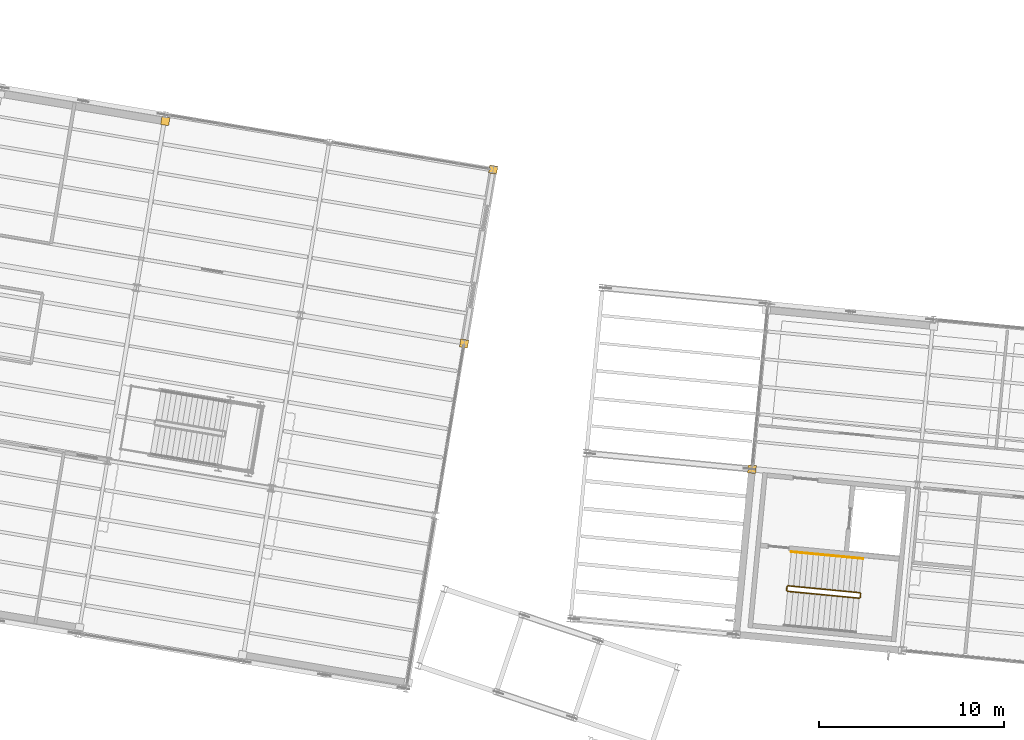
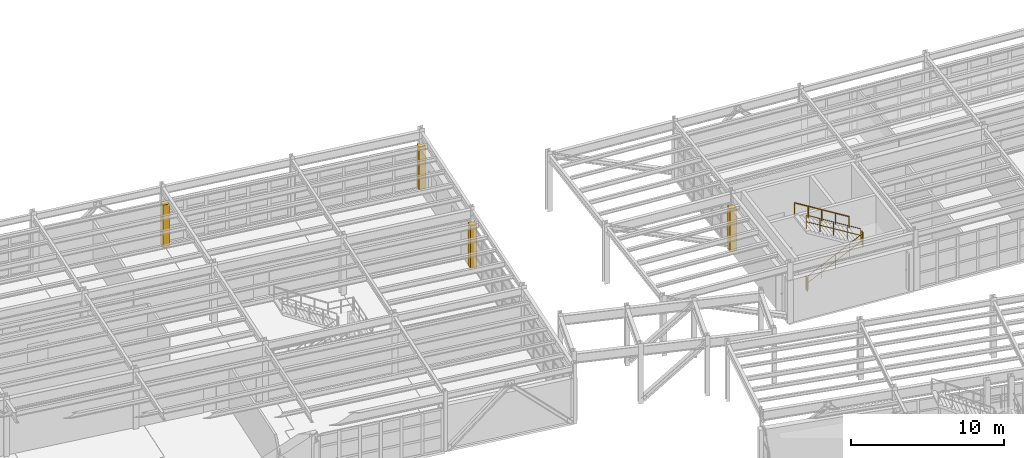
# One storey, part 107 of 109: 5 railings, 4 coverings.
"""IFC4 building model written with IfcOpenShell, lengths in metres."""

from ifc_helpers import new_model, si_unit, direction, frame, origin, origin_2d, place, context, subcontext, project, spatial, rectangle, circle, extrude, material, layer, layer_set, type_object, element, save


model = new_model("IFC4")

# Units and contexts
model_context = context("Model", 3, precision=1e-05, world=origin(), true_north=direction((0.0, 1.0)))
body_context = subcontext(model_context, "Body", "Model", "MODEL_VIEW")
ifc_project = project(units=[si_unit("LENGTHUNIT", "METRE"), si_unit("AREAUNIT", "SQUARE_METRE"), si_unit("VOLUMEUNIT", "CUBIC_METRE"), si_unit("PLANEANGLEUNIT", "RADIAN"), si_unit("MASSUNIT", "GRAM", prefix="KILO")], contexts=[model_context])

# Site, building, storey
site_placement = place(None, origin())
site = spatial("IfcSite", under=ifc_project, at=site_placement, CompositionType="ELEMENT")
building_placement = place(site_placement, origin())
building = spatial("IfcBuilding", under=site, at=building_placement, Name="Vireo Bluff Cable Station", CompositionType="ELEMENT")
storey_placement = place(building_placement, frame((0.0, 0.0, 4.800048828125)))
storey = spatial("IfcBuildingStorey", under=building, at=storey_placement, Name="L01", CompositionType="ELEMENT", Elevation=4.800048828125)

# Coverings
ifc_material_1 = material(Name="Precast concrete f'c 45 MPa", Category="concrete")
ifc_layer = layer(ifc_material_1, 0.0400390625, Name="Precast concrete f'c 45 MPa")
ifc_layer_set = layer_set([ifc_layer], Name="Precast concrete f'c 45 MPa")
covering_type = type_object("IfcCoveringType", Name="COL-CLOSURE-WRAP", PredefinedType="CLADDING", material=ifc_layer_set)
for number, where, z_axis, x_axis, name in (
    (1, (68.600341796875, 75.958984375, 0.0), (0.0, 0.0, 1.0), (0.995396198367, -0.09584575252, 0.0), "V3 L01 column pocket closure"),
    (2, (36.82763671875, 94.80908203125, 0.0), (0.0, 0.0, 1.0), (0.986285601537, -0.165047605861, 0.0), "V4 L01 column pocket closure"),
    (3, (54.58642578125, 92.179931640625, 0.0), (0.0, 0.0, 1.0), (0.986285601537, -0.165047605861, 0.0), "V4 L01 column pocket closure"),
    (4, (53.010498046875, 82.762939453125, 0.0), (0.0, 0.0, 1.0), (0.986285601537, -0.165047605861, 0.0), "V4 L01 column pocket closure"),
):
    element("IfcCovering", number, at=place(storey_placement, frame(where, z_axis=z_axis, x_axis=x_axis)), inside=storey, type_object=covering_type, Name=name, PredefinedType="CLADDING", context=body_context, shape_type="SweptSolid", body=[
        extrude(rectangle(XDim=0.43994140625, YDim=0.43994140625, at=origin_2d()), origin(), (0.0, 0.0, 1.0), 3.39990234375),
    ])

# Railings
ifc_material_2 = material(Name="Stainless Steel 316", Category="steel")
railing_type_1 = type_object("IfcRailingType", Name="STAIR-GUARD-1100", PredefinedType="GUARDRAIL", material=ifc_material_2)
railing_1_placement = place(storey_placement, frame((70.525634765625, 69.347412109375, 0.17138671875)))
element("IfcRailing", 5, at=railing_1_placement, inside=storey, type_object=railing_type_1, Name="L01 ST-01 stair guard 1", PredefinedType="GUARDRAIL", context=body_context, shape_type="SweptSolid", body=[
    extrude(circle(Radius=0.02392578125, at=origin_2d()), frame((0.0, 0.0, 1.076171875), z_axis=(0.864253522803, -0.083213140269, 0.496126416964), x_axis=(0.095840036621, 0.995396748729, 0.0)), (0.0, 0.0, 1.0), 4.491943359375),
    extrude(circle(Radius=0.02392578125, at=origin_2d()), frame((0.0, 0.0, 0.550048828125), z_axis=(0.864253522803, -0.083213140269, 0.496126416964), x_axis=(0.095840036621, 0.995396748729, 0.0)), (0.0, 0.0, 1.0), 4.491943359375),
    extrude(circle(Radius=0.02099609375, at=origin_2d()), origin(), (0.0, 0.0, 1.0), 1.052001953125),
    extrude(circle(Radius=0.02099609375, at=origin_2d()), frame((0.970458984375, -0.093505859375, 0.55712890625)), (0.0, 0.0, 1.0), 1.052001953125),
    extrude(circle(Radius=0.02099609375, at=origin_2d()), frame((1.94091796875, -0.18701171875, 1.1142578125)), (0.0, 0.0, 1.0), 1.052001953125),
    extrude(circle(Radius=0.02099609375, at=origin_2d()), frame((2.91162109375, -0.2802734375, 1.67138671875)), (0.0, 0.0, 1.0), 1.052001953125),
    extrude(circle(Radius=0.02099609375, at=origin_2d()), frame((3.882080078125, -0.373779296875, 2.228515625)), (0.0, 0.0, 1.0), 1.052001953125),
])
railing_2_placement = place(storey_placement, frame((74.462158203125, 69.018798828125, 2.39990234375)))
element("IfcRailing", 6, at=railing_2_placement, inside=storey, type_object=railing_type_1, Name="L01 ST-01 stair guard 2", PredefinedType="GUARDRAIL", context=body_context, shape_type="SweptSolid", body=[
    extrude(circle(Radius=0.02392578125, at=origin_2d()), frame((0.0, 0.0, 1.076171875), z_axis=(0.096480314764, 0.995334892819, 0.0), x_axis=(-0.995334892819, 0.096480314764, 0.0)), (0.0, 0.0, 1.0), 0.199951171875),
    extrude(circle(Radius=0.02392578125, at=origin_2d()), frame((0.0, 0.0, 0.550048828125), z_axis=(0.096480314764, 0.995334892819, 0.0), x_axis=(-0.995334892819, 0.096480314764, 0.0)), (0.0, 0.0, 1.0), 0.199951171875),
    extrude(circle(Radius=0.02099609375, at=origin_2d()), origin(), (0.0, 0.0, 1.0), 1.052001953125),
    extrude(circle(Radius=0.02099609375, at=origin_2d()), frame((0.019287109375, 0.198974609375, 0.0)), (0.0, 0.0, 1.0), 1.052001953125),
])
railing_3_placement = place(storey_placement, frame((74.436279296875, 69.272216796875, 2.5712890625)))
element("IfcRailing", 7, at=railing_3_placement, inside=storey, type_object=railing_type_1, Name="L01 ST-01 stair guard 3", PredefinedType="GUARDRAIL", context=body_context, shape_type="SweptSolid", body=[
    extrude(circle(Radius=0.02392578125, at=origin_2d()), frame((0.0, 0.0, 1.076171875), z_axis=(-0.864226307618, 0.08326487034, 0.496165144472), x_axis=(-0.095902060697, -0.995390774899, 0.0)), (0.0, 0.0, 1.0), 4.491943359375),
    extrude(circle(Radius=0.02392578125, at=origin_2d()), frame((0.0, 0.0, 0.550048828125), z_axis=(-0.864226307618, 0.08326487034, 0.496165144472), x_axis=(-0.095902060697, -0.995390774899, 0.0)), (0.0, 0.0, 1.0), 4.491943359375),
    extrude(circle(Radius=0.02099609375, at=origin_2d()), origin(), (0.0, 0.0, 1.0), 1.052001953125),
    extrude(circle(Radius=0.02099609375, at=origin_2d()), frame((-0.970458984375, 0.093505859375, 0.55712890625)), (0.0, 0.0, 1.0), 1.052001953125),
    extrude(circle(Radius=0.02099609375, at=origin_2d()), frame((-1.94091796875, 0.18701171875, 1.1142578125)), (0.0, 0.0, 1.0), 1.052001953125),
    extrude(circle(Radius=0.02099609375, at=origin_2d()), frame((-2.91162109375, 0.280517578125, 1.671630859375)), (0.0, 0.0, 1.0), 1.052001953125),
    extrude(circle(Radius=0.02099609375, at=origin_2d()), frame((-3.882080078125, 0.3740234375, 2.228759765625)), (0.0, 0.0, 1.0), 1.052001953125),
])
railing_4_placement = place(storey_placement, frame((70.48046875, 69.402099609375, 0.0)))
element("IfcRailing", 8, at=railing_4_placement, inside=storey, type_object=railing_type_1, Name="L01 ST-01 stair guard 4", PredefinedType="GUARDRAIL", context=body_context, shape_type="SweptSolid", body=[
    extrude(circle(Radius=0.02392578125, at=origin_2d()), frame((0.0, 0.0, 1.076171875), z_axis=(0.096480314764, 0.995334892819, 0.0), x_axis=(-0.995334892819, 0.096480314764, 0.0)), (0.0, 0.0, 1.0), 0.199951171875),
    extrude(circle(Radius=0.02392578125, at=origin_2d()), frame((0.0, 0.0, 0.550048828125), z_axis=(0.096480314764, 0.995334892819, 0.0), x_axis=(-0.995334892819, 0.096480314764, 0.0)), (0.0, 0.0, 1.0), 0.199951171875),
    extrude(circle(Radius=0.02099609375, at=origin_2d()), origin(), (0.0, 0.0, 1.0), 1.052001953125),
    extrude(circle(Radius=0.02099609375, at=origin_2d()), frame((0.019287109375, 0.198974609375, 0.0)), (0.0, 0.0, 1.0), 1.052001953125),
])
railing_type_2 = type_object("IfcRailingType", Name="STAIR-HANDRAIL-900", PredefinedType="HANDRAIL", material=ifc_material_2)
railing_5_placement = place(storey_placement, frame((74.61376953125, 71.11376953125, 2.5712890625)))
element("IfcRailing", 9, at=railing_5_placement, inside=storey, type_object=railing_type_2, Name="L01 ST-01 stair handrail 2", PredefinedType="HANDRAIL", context=body_context, shape_type="SweptSolid", body=[
    extrude(circle(Radius=0.02392578125, at=origin_2d()), frame((0.0, 0.0, 0.8759765625), z_axis=(-0.864230217409, 0.083210896349, 0.496167389141), x_axis=(-0.095840036621, -0.995396748729, 0.0)), (0.0, 0.0, 1.0), 4.491943359375),
    extrude(circle(Radius=0.02099609375, at=origin_2d()), origin(), (0.0, 0.0, 1.0), 0.851806640625),
    extrude(circle(Radius=0.02099609375, at=origin_2d()), frame((-0.970458984375, 0.093505859375, 0.55712890625)), (0.0, 0.0, 1.0), 0.851806640625),
    extrude(circle(Radius=0.02099609375, at=origin_2d()), frame((-1.94091796875, 0.18701171875, 1.1142578125)), (0.0, 0.0, 1.0), 0.851806640625),
    extrude(circle(Radius=0.02099609375, at=origin_2d()), frame((-2.91162109375, 0.2802734375, 1.671630859375)), (0.0, 0.0, 1.0), 0.851806640625),
    extrude(circle(Radius=0.02099609375, at=origin_2d()), frame((-3.882080078125, 0.373779296875, 2.228759765625)), (0.0, 0.0, 1.0), 0.851806640625),
])

save(model, "model.ifc")
